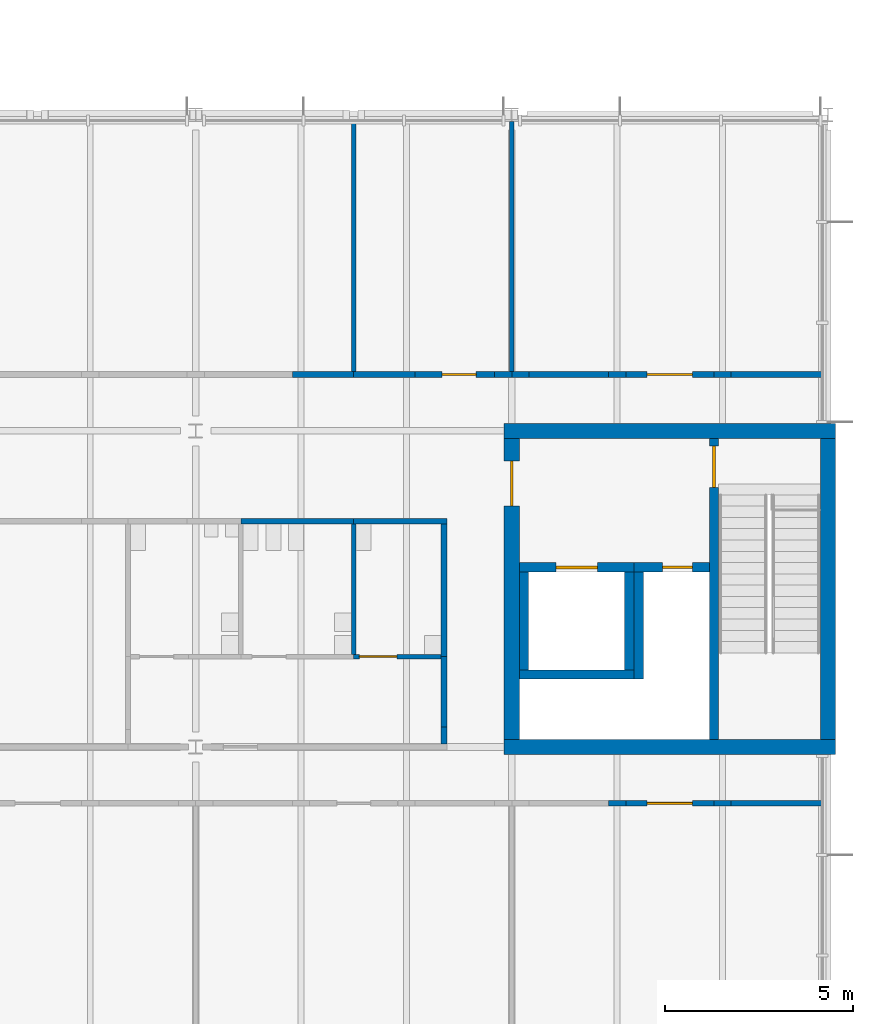
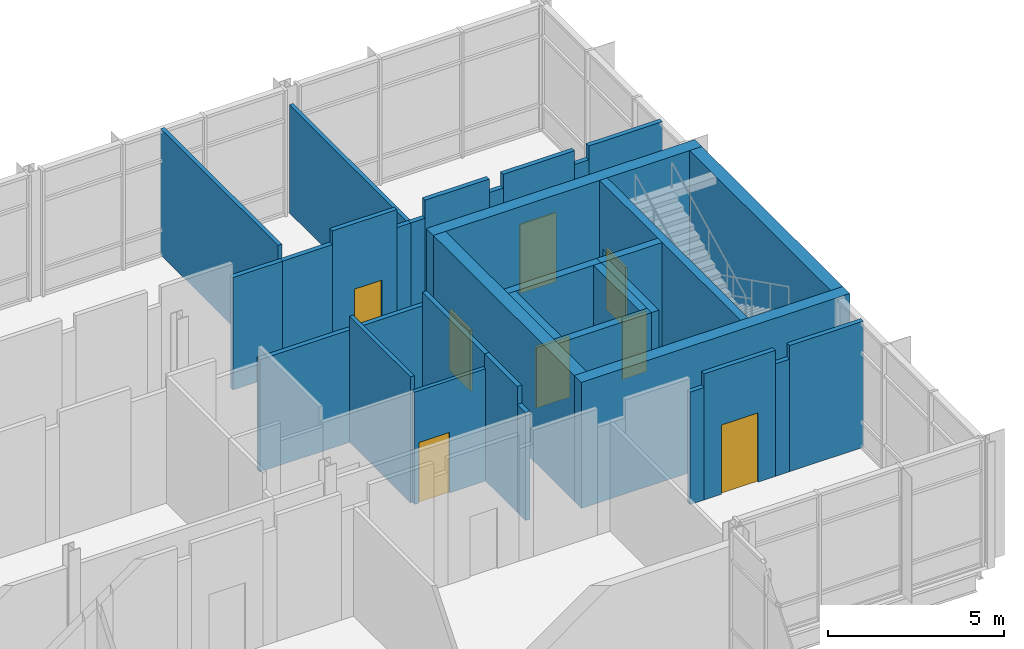
# One storey, part 59 of 89: 34 walls, 8 doors, 8 openings.
"""IFC4 building model written with IfcOpenShell, lengths in metres."""

from ifc_helpers import new_model, si_unit, direction, frame, frame_2d, origin, place, context, subcontext, project, spatial, rectangle, extrude, material, layer, layer_set, type_object, element, fill, save


model = new_model("IFC4")

# Units and contexts
model_context = context("Model", 3, precision=1e-05, world=origin(), true_north=direction((0.0, 1.0)))
body_context = subcontext(model_context, "Body", "Model", "MODEL_VIEW")
ifc_project = project(units=[si_unit("LENGTHUNIT", "METRE"), si_unit("AREAUNIT", "SQUARE_METRE"), si_unit("VOLUMEUNIT", "CUBIC_METRE"), si_unit("PLANEANGLEUNIT", "RADIAN"), si_unit("MASSUNIT", "GRAM", prefix="KILO")], contexts=[model_context])

# Site, building, storey
site_placement = place(None, origin())
site = spatial("IfcSite", under=ifc_project, at=site_placement, CompositionType="ELEMENT")
building_placement = place(site_placement, origin())
building = spatial("IfcBuilding", under=site, at=building_placement, Name="Hlaing Beacon Police Headquarters", CompositionType="ELEMENT")
storey_placement = place(building_placement, frame((0.0, 0.0, 9.89990234375)))
storey = spatial("IfcBuildingStorey", under=building, at=storey_placement, Name="L02", CompositionType="ELEMENT", Elevation=9.89990234375)

# Walls
ifc_material_1 = material(Name="Concrete C60/75", Category="concrete")
ifc_layer_1 = layer(ifc_material_1, 0.39990234375)
ifc_layer_set_1 = layer_set([ifc_layer_1], Name="Concrete C60/75")
wall_type_1 = type_object("IfcWallType", Name="Core shear wall 400", PredefinedType="SHEAR", material=ifc_layer_set_1)
for number, where, z_axis, x_axis, name in (
    (1, (125.800048828125, 75.60009765625, 0.0), (0.0, 0.0, 1.0), (1.0, 0.0, 0.0), "Core shear wall"),
    (2, (125.800048828125, 84.0, 0.0), (0.0, 0.0, 1.0), (1.0, 0.0, 0.0), "Core shear wall"),
):
    element("IfcWall", number, at=place(storey_placement, frame(where, z_axis=z_axis, x_axis=x_axis)), inside=storey, type_object=wall_type_1, Name=name, PredefinedType="SHEAR", context=body_context, shape_type="SweptSolid", body=[
        extrude(rectangle(XDim=8.800048828125, YDim=0.39990234375, at=frame_2d((4.39990234375, 0.0))), origin(), (0.0, 0.0, 1.0), 4.3701171875),
    ])

# Wall, opening, door
wall_1_placement = place(storey_placement, frame((126.0, 75.800048828125, 0.0), z_axis=(0.0, 0.0, 1.0), x_axis=(0.0, 1.0, 0.0)))
wall_1 = element("IfcWall", 3, at=wall_1_placement, inside=storey, type_object=wall_type_1, Name="Core shear wall", PredefinedType="SHEAR", context=body_context, shape_type="SweptSolid", body=[
    extrude(rectangle(XDim=8.0, YDim=0.39990234375, at=frame_2d((4.0, 0.0))), origin(), (0.0, 0.0, 1.0), 4.3701171875),
])
opening_1_placement = place(wall_1_placement, frame((6.199951171875, 0.0, 0.0)))
opening_1 = element("IfcOpeningElement", 4, at=opening_1_placement, cuts=wall_1, Name="Opening L02-949", PredefinedType="OPENING", context=body_context, shape_type="SweptSolid", body=[
    extrude(rectangle(XDim=1.199951171875, YDim=2.10009765625, at=frame_2d((0.60009765625, 1.050048828125))), frame((0.0, 0.2099609375, 0.0), z_axis=(0.0, -1.0, 0.0), x_axis=(1.0, 0.0, 0.0)), (0.0, 0.0, 1.0), 0.419921875),
])
ifc_material_2 = material(Name="Steel fire door leaf", Category="steel")
ifc_layer_2 = layer(ifc_material_2, 0.070068359375)
ifc_layer_set_2 = layer_set([ifc_layer_2], Name="Steel fire door leaf")
door_type_1 = type_object("IfcDoorType", Name="Steel fire door FD60S 1200x2100", OperationType="SINGLE_SWING_LEFT", PredefinedType="DOOR", material=ifc_layer_set_2)
door_1_placement = place(opening_1_placement, frame((1.199951171875, 0.0, 0.0), z_axis=(0.0, 0.0, 1.0), x_axis=(-1.0, 0.0, 0.0)))
door_1 = element("IfcDoor", 5, at=door_1_placement, inside=storey, type_object=door_type_1, Name="Door Firefighting Lobby Entry", OperationType="SINGLE_SWING_LEFT", OverallHeight=2.10009765625, OverallWidth=1.199951171875, PredefinedType="DOOR", context=body_context, shape_type="SweptSolid", body=[
    extrude(rectangle(XDim=1.199951171875, YDim=2.10009765625, at=frame_2d((0.599853515625, 1.050048828125))), frame((0.0, 0.034912109375, 0.0), z_axis=(0.0, -1.0, 0.0), x_axis=(1.0, 0.0, 0.0)), (0.0, 0.0, 1.0), 0.070068359375),
])
fill(opening_1, door_1)

# Walls
wall_2_placement = place(storey_placement, frame((134.39990234375, 75.800048828125, 0.0), z_axis=(0.0, 0.0, 1.0), x_axis=(0.0, 1.0, 0.0)))
element("IfcWall", 6, at=wall_2_placement, inside=storey, type_object=wall_type_1, Name="Core shear wall", PredefinedType="SHEAR", context=body_context, shape_type="SweptSolid", body=[
    extrude(rectangle(XDim=8.0, YDim=0.39990234375, at=frame_2d((4.0, 0.0))), origin(), (0.0, 0.0, 1.0), 4.3701171875),
])
ifc_material_3 = material(Name="Gypsum board partition")
ifc_layer_3 = layer(ifc_material_3, 0.14990234375)
ifc_layer_set_3 = layer_set([ifc_layer_3], Name="Gypsum board partition")
wall_type_2 = type_object("IfcWallType", Name="Corridor wall EI 30 150", PredefinedType="PARTITIONING", material=ifc_layer_set_3)
wall_3_placement = place(storey_placement, frame((121.800048828125, 81.60009765625, 0.0), z_axis=(0.0, 0.0, 1.0), x_axis=(1.0, 0.0, 0.0)))
element("IfcWall", 7, at=wall_3_placement, inside=storey, type_object=wall_type_2, Name="Corridor wall EI 30 150", PredefinedType="PARTITIONING", context=body_context, shape_type="SweptSolid", body=[
    extrude(rectangle(XDim=2.474853515625, YDim=0.14990234375, at=frame_2d((1.2373046875, 0.0))), origin(), (0.0, 0.0, 1.0), 3.89501953125),
])
wall_4_placement = place(storey_placement, frame((124.199951171875, 78.0, 0.0), z_axis=(0.0, 0.0, 1.0), x_axis=(0.0, 1.0, 0.0)))
element("IfcWall", 8, at=wall_4_placement, inside=storey, type_object=wall_type_2, Name="Corridor wall EI 30 150", PredefinedType="PARTITIONING", context=body_context, shape_type="SweptSolid", body=[
    extrude(rectangle(XDim=3.52490234375, YDim=0.14990234375, at=frame_2d((1.762451171875, 0.0))), origin(), (0.0, 0.0, 1.0), 4.3701171875),
])
wall_5_placement = place(storey_placement, frame((118.800048828125, 81.60009765625, 0.0), z_axis=(0.0, 0.0, 1.0), x_axis=(1.0, 0.0, 0.0)))
element("IfcWall", 9, at=wall_5_placement, inside=storey, type_object=wall_type_2, Name="Corridor wall EI 30 150", PredefinedType="PARTITIONING", context=body_context, shape_type="SweptSolid", body=[
    extrude(rectangle(XDim=3.0, YDim=0.14990234375, at=frame_2d((1.5, 0.0))), origin(), (0.0, 0.0, 1.0), 3.89501953125),
])
wall_6_placement = place(storey_placement, frame((124.199951171875, 75.675048828125, 0.0), z_axis=(0.0, 0.0, 1.0), x_axis=(0.0, 1.0, 0.0)))
element("IfcWall", 10, at=wall_6_placement, inside=storey, type_object=wall_type_2, Name="Corridor wall EI 30 150", PredefinedType="PARTITIONING", context=body_context, shape_type="SweptSolid", body=[
    extrude(rectangle(XDim=0.4599609375, YDim=0.14990234375, at=frame_2d((0.22998046875, 0.0))), origin(), (0.0, 0.0, 1.0), 3.74609375),
])
wall_7_placement = place(storey_placement, frame((124.199951171875, 76.135009765625, 0.0), z_axis=(0.0, 0.0, 1.0), x_axis=(0.0, 1.0, 0.0)))
element("IfcWall", 11, at=wall_7_placement, inside=storey, type_object=wall_type_2, Name="Corridor wall EI 30 150", PredefinedType="PARTITIONING", context=body_context, shape_type="SweptSolid", body=[
    extrude(rectangle(XDim=1.864990234375, YDim=0.14990234375, at=frame_2d((0.9326171875, 0.0))), origin(), (0.0, 0.0, 1.0), 4.3701171875),
])
wall_8_placement = place(storey_placement, frame((120.169921875, 85.5, 0.0), z_axis=(0.0, 0.0, 1.0), x_axis=(1.0, 0.0, 0.0)))
element("IfcWall", 12, at=wall_8_placement, inside=storey, type_object=wall_type_2, Name="Corridor wall EI 30 150", PredefinedType="PARTITIONING", context=body_context, shape_type="SweptSolid", body=[
    extrude(rectangle(XDim=1.630126953125, YDim=0.14990234375, at=frame_2d((0.81494140625, 0.0))), origin(), (0.0, 0.0, 1.0), 3.89501953125),
])
wall_9_placement = place(storey_placement, frame((121.800048828125, 85.5, 0.0), z_axis=(0.0, 0.0, 1.0), x_axis=(1.0, 0.0, 0.0)))
element("IfcWall", 13, at=wall_9_placement, inside=storey, type_object=wall_type_2, Name="Corridor wall EI 30 150", PredefinedType="PARTITIONING", context=body_context, shape_type="SweptSolid", body=[
    extrude(rectangle(XDim=1.6298828125, YDim=0.14990234375, at=frame_2d((0.81494140625, 0.0))), origin(), (0.0, 0.0, 1.0), 3.89501953125),
])

# Wall, opening, door
wall_10_placement = place(storey_placement, frame((123.429931640625, 85.5, 0.0), z_axis=(0.0, 0.0, 1.0), x_axis=(1.0, 0.0, 0.0)))
wall_10 = element("IfcWall", 14, at=wall_10_placement, inside=storey, type_object=wall_type_2, Name="Corridor wall EI 30 150", PredefinedType="PARTITIONING", context=body_context, shape_type="SweptSolid", body=[
    extrude(rectangle(XDim=2.110107421875, YDim=0.14990234375, at=frame_2d((1.05517578125, 0.0))), origin(), (0.0, 0.0, 1.0), 4.3701171875),
])
opening_2_placement = place(wall_10_placement, frame((0.719970703125, 0.0, 0.0)))
opening_2 = element("IfcOpeningElement", 15, at=opening_2_placement, cuts=wall_10, Name="Opening L02-046", PredefinedType="OPENING", context=body_context, shape_type="SweptSolid", body=[
    extrude(rectangle(XDim=0.89990234375, YDim=2.10009765625, at=frame_2d((0.449951171875, 1.050048828125))), frame((0.0, 0.0849609375, 0.0), z_axis=(0.0, -1.0, 0.0), x_axis=(1.0, 0.0, 0.0)), (0.0, 0.0, 1.0), 0.169921875),
])
ifc_material_4 = material(Name="Hardwood door leaf", Category="wood")
ifc_layer_4 = layer(ifc_material_4, 0.050048828125)
ifc_layer_set_4 = layer_set([ifc_layer_4], Name="Hardwood door leaf")
door_type_2 = type_object("IfcDoorType", Name="Fire door FD30S 900x2100", OperationType="SINGLE_SWING_LEFT", PredefinedType="DOOR", material=ifc_layer_set_4)
door_2_placement = place(opening_2_placement, origin())
door_2 = element("IfcDoor", 16, at=door_2_placement, inside=storey, type_object=door_type_2, Name="Door Training Stores", OperationType="SINGLE_SWING_LEFT", OverallHeight=2.10009765625, OverallWidth=0.89990234375, PredefinedType="DOOR", context=body_context, shape_type="SweptSolid", body=[
    extrude(rectangle(XDim=0.89990234375, YDim=2.10009765625, at=frame_2d((0.449951171875, 1.050048828125))), frame((0.0, 0.02490234375, 0.0), z_axis=(0.0, -1.0, 0.0), x_axis=(1.0, 0.0, 0.0)), (0.0, 0.0, 1.0), 0.050048828125),
])
fill(opening_2, door_2)

# Walls
for number, where, z_axis, x_axis, name in (
    (17, (125.5400390625, 85.5, 0.0), (0.0, 0.0, 1.0), (1.0, 0.0, 0.0), "Corridor wall EI 30 150"),
    (18, (126.0, 85.5, 0.0), (0.0, 0.0, 1.0), (1.0, 0.0, 0.0), "Corridor wall EI 30 150"),
):
    element("IfcWall", number, at=place(storey_placement, frame(where, z_axis=z_axis, x_axis=x_axis)), inside=storey, type_object=wall_type_2, Name=name, PredefinedType="PARTITIONING", context=body_context, shape_type="SweptSolid", body=[
        extrude(rectangle(XDim=0.4599609375, YDim=0.14990234375, at=frame_2d((0.22998046875, 0.0))), origin(), (0.0, 0.0, 1.0), 3.74609375),
    ])
wall_11_placement = place(storey_placement, frame((126.4599609375, 85.5, 0.0), z_axis=(0.0, 0.0, 1.0), x_axis=(1.0, 0.0, 0.0)))
element("IfcWall", 19, at=wall_11_placement, inside=storey, type_object=wall_type_2, Name="Corridor wall EI 30 150", PredefinedType="PARTITIONING", context=body_context, shape_type="SweptSolid", body=[
    extrude(rectangle(XDim=2.110107421875, YDim=0.14990234375, at=frame_2d((1.05517578125, 0.0))), origin(), (0.0, 0.0, 1.0), 4.3701171875),
])
wall_12_placement = place(storey_placement, frame((128.570068359375, 85.5, 0.0), z_axis=(0.0, 0.0, 1.0), x_axis=(1.0, 0.0, 0.0)))
element("IfcWall", 20, at=wall_12_placement, inside=storey, type_object=wall_type_2, Name="Corridor wall EI 30 150", PredefinedType="PARTITIONING", context=body_context, shape_type="SweptSolid", body=[
    extrude(rectangle(XDim=0.4599609375, YDim=0.14990234375, at=frame_2d((0.22998046875, 0.0))), origin(), (0.0, 0.0, 1.0), 3.89501953125),
])

# Wall, opening, door
wall_13_placement = place(storey_placement, frame((129.030029296875, 85.5, 0.0), z_axis=(0.0, 0.0, 1.0), x_axis=(1.0, 0.0, 0.0)))
wall_13 = element("IfcWall", 21, at=wall_13_placement, inside=storey, type_object=wall_type_2, Name="Corridor wall EI 30 150", PredefinedType="PARTITIONING", context=body_context, shape_type="SweptSolid", body=[
    extrude(rectangle(XDim=2.340087890625, YDim=0.14990234375, at=frame_2d((1.169921875, 0.0))), origin(), (0.0, 0.0, 1.0), 4.3701171875),
])
opening_3_placement = place(wall_13_placement, frame((0.570068359375, 0.0, 0.0)))
opening_3 = element("IfcOpeningElement", 22, at=opening_3_placement, cuts=wall_13, Name="Opening L02-047", PredefinedType="OPENING", context=body_context, shape_type="SweptSolid", body=[
    extrude(rectangle(XDim=1.199951171875, YDim=2.39990234375, at=frame_2d((0.60009765625, 1.199951171875))), frame((0.0, 0.0849609375, 0.0), z_axis=(0.0, -1.0, 0.0), x_axis=(1.0, 0.0, 0.0)), (0.0, 0.0, 1.0), 0.169921875),
])
ifc_material_5 = material(Name="Hardwood door leaf", Category="wood")
ifc_layer_5 = layer(ifc_material_5, 0.050048828125)
ifc_layer_set_5 = layer_set([ifc_layer_5], Name="Hardwood door leaf")
door_type_3 = type_object("IfcDoorType", Name="Fire public door FD30S 1200x2400", OperationType="SINGLE_SWING_LEFT", PredefinedType="DOOR", material=ifc_layer_set_5)
door_3_placement = place(opening_3_placement, origin())
door_3 = element("IfcDoor", 23, at=door_3_placement, inside=storey, type_object=door_type_3, Name="Door Library Reading Room", OperationType="SINGLE_SWING_RIGHT", OverallHeight=2.39990234375, OverallWidth=1.199951171875, PredefinedType="DOOR", context=body_context, shape_type="SweptSolid", body=[
    extrude(rectangle(XDim=1.199951171875, YDim=2.39990234375, at=frame_2d((0.60009765625, 1.199951171875))), frame((0.0, 0.02490234375, 0.0), z_axis=(0.0, -1.0, 0.0), x_axis=(1.0, 0.0, 0.0)), (0.0, 0.0, 1.0), 0.050048828125),
])
fill(opening_3, door_3)

# Walls
wall_14_placement = place(storey_placement, frame((131.3701171875, 85.5, 0.0), z_axis=(0.0, 0.0, 1.0), x_axis=(1.0, 0.0, 0.0)))
element("IfcWall", 24, at=wall_14_placement, inside=storey, type_object=wall_type_2, Name="Corridor wall EI 30 150", PredefinedType="PARTITIONING", context=body_context, shape_type="SweptSolid", body=[
    extrude(rectangle(XDim=0.4599609375, YDim=0.14990234375, at=frame_2d((0.22998046875, 0.0))), origin(), (0.0, 0.0, 1.0), 3.89501953125),
])
wall_15_placement = place(storey_placement, frame((131.830078125, 85.5, 0.0), z_axis=(0.0, 0.0, 1.0), x_axis=(1.0, 0.0, 0.0)))
element("IfcWall", 25, at=wall_15_placement, inside=storey, type_object=wall_type_2, Name="Corridor wall EI 30 150", PredefinedType="PARTITIONING", context=body_context, shape_type="SweptSolid", body=[
    extrude(rectangle(XDim=2.419921875, YDim=0.14990234375, at=frame_2d((1.2099609375, 0.0))), origin(), (0.0, 0.0, 1.0), 4.3701171875),
])
wall_16_placement = place(storey_placement, frame((128.570068359375, 74.10009765625, 0.0), z_axis=(0.0, 0.0, 1.0), x_axis=(1.0, 0.0, 0.0)))
element("IfcWall", 26, at=wall_16_placement, inside=storey, type_object=wall_type_2, Name="Corridor wall EI 30 150", PredefinedType="PARTITIONING", context=body_context, shape_type="SweptSolid", body=[
    extrude(rectangle(XDim=0.4599609375, YDim=0.14990234375, at=frame_2d((0.22998046875, 0.0))), origin(), (0.0, 0.0, 1.0), 3.89501953125),
])

# Wall, opening, door
wall_17_placement = place(storey_placement, frame((129.030029296875, 74.10009765625, 0.0), z_axis=(0.0, 0.0, 1.0), x_axis=(1.0, 0.0, 0.0)))
wall_17 = element("IfcWall", 27, at=wall_17_placement, inside=storey, type_object=wall_type_2, Name="Corridor wall EI 30 150", PredefinedType="PARTITIONING", context=body_context, shape_type="SweptSolid", body=[
    extrude(rectangle(XDim=2.340087890625, YDim=0.14990234375, at=frame_2d((1.169921875, 0.0))), origin(), (0.0, 0.0, 1.0), 4.3701171875),
])
opening_4_placement = place(wall_17_placement, frame((0.570068359375, 0.0, 0.0)))
opening_4 = element("IfcOpeningElement", 28, at=opening_4_placement, cuts=wall_17, Name="Opening L02-052", PredefinedType="OPENING", context=body_context, shape_type="SweptSolid", body=[
    extrude(rectangle(XDim=1.199951171875, YDim=2.39990234375, at=frame_2d((0.60009765625, 1.199951171875))), frame((0.0, 0.0849609375, 0.0), z_axis=(0.0, -1.0, 0.0), x_axis=(1.0, 0.0, 0.0)), (0.0, 0.0, 1.0), 0.169921875),
])
door_4_placement = place(opening_4_placement, frame((1.199951171875, 0.0, 0.0), z_axis=(0.0, 0.0, 1.0), x_axis=(-1.0, 0.0, 0.0)))
door_4 = element("IfcDoor", 29, at=door_4_placement, inside=storey, type_object=door_type_3, Name="Door Training Staff Welfare Room", OperationType="SINGLE_SWING_LEFT", OverallHeight=2.39990234375, OverallWidth=1.199951171875, PredefinedType="DOOR", context=body_context, shape_type="SweptSolid", body=[
    extrude(rectangle(XDim=1.199951171875, YDim=2.39990234375, at=frame_2d((0.599853515625, 1.199951171875))), frame((0.0, 0.025146484375, 0.0), z_axis=(0.0, -1.0, 0.0), x_axis=(1.0, 0.0, 0.0)), (0.0, 0.0, 1.0), 0.050048828125),
])
fill(opening_4, door_4)

# Walls
wall_18_placement = place(storey_placement, frame((131.3701171875, 74.10009765625, 0.0), z_axis=(0.0, 0.0, 1.0), x_axis=(1.0, 0.0, 0.0)))
element("IfcWall", 30, at=wall_18_placement, inside=storey, type_object=wall_type_2, Name="Corridor wall EI 30 150", PredefinedType="PARTITIONING", context=body_context, shape_type="SweptSolid", body=[
    extrude(rectangle(XDim=0.4599609375, YDim=0.14990234375, at=frame_2d((0.22998046875, 0.0))), origin(), (0.0, 0.0, 1.0), 3.89501953125),
])
wall_19_placement = place(storey_placement, frame((131.830078125, 74.10009765625, 0.0), z_axis=(0.0, 0.0, 1.0), x_axis=(1.0, 0.0, 0.0)))
element("IfcWall", 31, at=wall_19_placement, inside=storey, type_object=wall_type_2, Name="Corridor wall EI 30 150", PredefinedType="PARTITIONING", context=body_context, shape_type="SweptSolid", body=[
    extrude(rectangle(XDim=2.419921875, YDim=0.14990234375, at=frame_2d((1.2099609375, 0.0))), origin(), (0.0, 0.0, 1.0), 4.3701171875),
])
ifc_material_6 = material(Name="Gypsum board partition")
ifc_layer_6 = layer(ifc_material_6, 0.125)
ifc_layer_set_6 = layer_set([ifc_layer_6], Name="Gypsum board partition")
wall_type_3 = type_object("IfcWallType", Name="Partition 125", PredefinedType="PARTITIONING", material=ifc_layer_set_6)
wall_20_placement = place(storey_placement, frame((121.800048828125, 78.06201171875, 0.0), z_axis=(0.0, 0.0, 1.0), x_axis=(0.0, 1.0, 0.0)))
element("IfcWall", 32, at=wall_20_placement, inside=storey, type_object=wall_type_3, Name="Partition 125", PredefinedType="PARTITIONING", context=body_context, shape_type="SweptSolid", body=[
    extrude(rectangle(XDim=3.462890625, YDim=0.125, at=frame_2d((1.7314453125, 0.0))), origin(), (0.0, 0.0, 1.0), 4.3701171875),
])

# Wall, opening, door
wall_21_placement = place(storey_placement, frame((121.800048828125, 78.0, 0.0), z_axis=(0.0, 0.0, 1.0), x_axis=(1.0, 0.0, 0.0)))
wall_21 = element("IfcWall", 33, at=wall_21_placement, inside=storey, type_object=wall_type_3, Name="Partition 125", PredefinedType="PARTITIONING", context=body_context, shape_type="SweptSolid", body=[
    extrude(rectangle(XDim=2.324951171875, YDim=0.125, at=frame_2d((1.16259765625, 0.0))), origin(), (0.0, 0.0, 1.0), 3.89501953125),
])
opening_5_placement = place(wall_21_placement, frame((0.14990234375, 0.0, 0.0)))
opening_5 = element("IfcOpeningElement", 34, at=opening_5_placement, cuts=wall_21, Name="Opening L02-040", PredefinedType="OPENING", context=body_context, shape_type="SweptSolid", body=[
    extrude(rectangle(XDim=1.0, YDim=2.10009765625, at=frame_2d((0.5, 1.050048828125))), frame((0.0, 0.072509765625, 0.0), z_axis=(0.0, -1.0, 0.0), x_axis=(1.0, 0.0, 0.0)), (0.0, 0.0, 1.0), 0.14501953125),
])
ifc_material_7 = material(Name="Hardwood door leaf", Category="wood")
ifc_layer_7 = layer(ifc_material_7, 0.0400390625)
ifc_layer_set_7 = layer_set([ifc_layer_7], Name="Hardwood door leaf")
door_type_4 = type_object("IfcDoorType", Name="Door 1000x2100", OperationType="SINGLE_SWING_LEFT", PredefinedType="DOOR", material=ifc_layer_set_7)
door_5_placement = place(opening_5_placement, origin())
door_5 = element("IfcDoor", 35, at=door_5_placement, inside=storey, type_object=door_type_4, Name="Door Accessible WC", OperationType="SINGLE_SWING_RIGHT", OverallHeight=2.10009765625, OverallWidth=1.0, PredefinedType="DOOR", context=body_context, shape_type="SweptSolid", body=[
    extrude(rectangle(XDim=1.0, YDim=2.10009765625, at=frame_2d((0.5, 1.050048828125))), frame((0.0, 0.02001953125, 0.0), z_axis=(0.0, -1.0, 0.0), x_axis=(1.0, 0.0, 0.0)), (0.0, 0.0, 1.0), 0.0400390625),
])
fill(opening_5, door_5)

# Walls
wall_22_placement = place(storey_placement, frame((121.800048828125, 85.574951171875, 0.0), z_axis=(0.0, 0.0, 1.0), x_axis=(0.0, 1.0, 0.0)))
element("IfcWall", 36, at=wall_22_placement, inside=storey, type_object=wall_type_3, Name="Partition 125", PredefinedType="PARTITIONING", context=body_context, shape_type="SweptSolid", body=[
    extrude(rectangle(XDim=6.675048828125, YDim=0.125, at=frame_2d((3.33740234375, 0.0))), origin(), (0.0, 0.0, 1.0), 4.3701171875),
])
wall_23_placement = place(storey_placement, frame((126.0, 85.574951171875, 0.0), z_axis=(0.0, 0.0, 1.0), x_axis=(0.0, 1.0, 0.0)))
element("IfcWall", 37, at=wall_23_placement, inside=storey, type_object=wall_type_3, Name="Partition 125", PredefinedType="PARTITIONING", context=body_context, shape_type="SweptSolid", body=[
    extrude(rectangle(XDim=6.64404296875, YDim=0.125, at=frame_2d((3.322021484375, 0.0))), origin(), (0.0, 0.0, 1.0), 3.74609375),
])

# Wall, opening, door
ifc_material_8 = material(Name="Concrete C40/50", Category="concrete")
ifc_layer_8 = layer(ifc_material_8, 0.25)
ifc_layer_set_8 = layer_set([ifc_layer_8], Name="Concrete C40/50")
wall_type_4 = type_object("IfcWallType", Name="Shaft wall 250", PredefinedType="SOLIDWALL", material=ifc_layer_set_8)
wall_24_placement = place(storey_placement, frame((131.375, 83.800048828125, 0.0), z_axis=(0.0, 0.0, 1.0), x_axis=(0.0, -1.0, 0.0)))
wall_24 = element("IfcWall", 38, at=wall_24_placement, inside=storey, type_object=wall_type_4, Name="Stair enclosure wall", PredefinedType="SOLIDWALL", context=body_context, shape_type="SweptSolid", body=[
    extrude(rectangle(XDim=8.0, YDim=0.25, at=frame_2d((4.0, 0.0))), origin(), (0.0, 0.0, 1.0), 4.3701171875),
])
opening_6_placement = place(wall_24_placement, frame((0.199951171875, 0.0, 0.0)))
opening_6 = element("IfcOpeningElement", 39, at=opening_6_placement, cuts=wall_24, Name="Opening L02-951", PredefinedType="OPENING", context=body_context, shape_type="SweptSolid", body=[
    extrude(rectangle(XDim=1.10009765625, YDim=2.10009765625, at=frame_2d((0.550048828125, 1.050048828125))), frame((0.0, 0.135009765625, 0.0), z_axis=(0.0, -1.0, 0.0), x_axis=(1.0, 0.0, 0.0)), (0.0, 0.0, 1.0), 0.27001953125),
])
ifc_material_9 = material(Name="Steel fire door leaf", Category="steel")
ifc_layer_9 = layer(ifc_material_9, 0.070068359375)
ifc_layer_set_9 = layer_set([ifc_layer_9], Name="Steel fire door leaf")
door_type_5 = type_object("IfcDoorType", Name="Steel fire door FD60 1100x2100", OperationType="SINGLE_SWING_LEFT", PredefinedType="DOOR", material=ifc_layer_set_9)
door_6_placement = place(opening_6_placement, origin())
door_6 = element("IfcDoor", 40, at=door_6_placement, inside=storey, type_object=door_type_5, Name="Door Stair ST-R", OperationType="SINGLE_SWING_RIGHT", OverallHeight=2.10009765625, OverallWidth=1.10009765625, PredefinedType="DOOR", context=body_context, shape_type="SweptSolid", body=[
    extrude(rectangle(XDim=1.10009765625, YDim=2.10009765625, at=frame_2d((0.550048828125, 1.050048828125))), frame((0.0, 0.03515625, 0.0), z_axis=(0.0, -1.0, 0.0), x_axis=(1.0, 0.0, 0.0)), (0.0, 0.0, 1.0), 0.070068359375),
])
fill(opening_6, door_6)

wall_25_placement = place(storey_placement, frame((131.25, 80.375, 0.0), z_axis=(0.0, 0.0, 1.0), x_axis=(-1.0, 0.0, 0.0)))
wall_25 = element("IfcWall", 41, at=wall_25_placement, inside=storey, type_object=wall_type_4, Name="Firefighting lobby wall", PredefinedType="SOLIDWALL", context=body_context, shape_type="SweptSolid", body=[
    extrude(rectangle(XDim=2.0, YDim=0.25, at=frame_2d((1.0, 0.0))), origin(), (0.0, 0.0, 1.0), 4.3701171875),
])
opening_7_placement = place(wall_25_placement, frame((0.449951171875, 0.0, 0.0)))
opening_7 = element("IfcOpeningElement", 42, at=opening_7_placement, cuts=wall_25, Name="Opening L02-950", PredefinedType="OPENING", context=body_context, shape_type="SweptSolid", body=[
    extrude(rectangle(XDim=0.800048828125, YDim=2.10009765625, at=frame_2d((0.39990234375, 1.050048828125))), frame((0.0, 0.135009765625, 0.0), z_axis=(0.0, -1.0, 0.0), x_axis=(1.0, 0.0, 0.0)), (0.0, 0.0, 1.0), 0.27001953125),
])
ifc_material_10 = material(Name="Steel fire door leaf", Category="steel")
ifc_layer_10 = layer(ifc_material_10, 0.070068359375)
ifc_layer_set_10 = layer_set([ifc_layer_10], Name="Steel fire door leaf")
door_type_6 = type_object("IfcDoorType", Name="Steel fire door FD60 800x2100", OperationType="SINGLE_SWING_LEFT", PredefinedType="DOOR", material=ifc_layer_set_10)
door_7_placement = place(opening_7_placement, origin())
door_7 = element("IfcDoor", 43, at=door_7_placement, inside=storey, type_object=door_type_6, Name="Door Services Riser", OperationType="SINGLE_SWING_RIGHT", OverallHeight=2.10009765625, OverallWidth=0.800048828125, PredefinedType="DOOR", context=body_context, shape_type="SweptSolid", body=[
    extrude(rectangle(XDim=0.800048828125, YDim=2.10009765625, at=frame_2d((0.39990234375, 1.050048828125))), frame((0.0, 0.03515625, 0.0), z_axis=(0.0, -1.0, 0.0), x_axis=(1.0, 0.0, 0.0)), (0.0, 0.0, 1.0), 0.070068359375),
])
fill(opening_7, door_7)

# Walls
wall_26_placement = place(storey_placement, frame((129.375, 80.25, 0.0), z_axis=(0.0, 0.0, 1.0), x_axis=(0.0, -1.0, 0.0)))
element("IfcWall", 44, at=wall_26_placement, inside=storey, type_object=wall_type_4, Name="Riser wall", PredefinedType="SOLIDWALL", context=body_context, shape_type="SweptSolid", body=[
    extrude(rectangle(XDim=2.85009765625, YDim=0.25, at=frame_2d((1.425048828125, 0.0))), origin(), (0.0, 0.0, 1.0), 4.3701171875),
])
wall_27_placement = place(storey_placement, frame((129.125, 77.64990234375, 0.0), z_axis=(0.0, 0.0, 1.0), x_axis=(0.0, 1.0, 0.0)))
element("IfcWall", 45, at=wall_27_placement, inside=storey, type_object=wall_type_4, Name="Lift shaft wall FL3", PredefinedType="SOLIDWALL", context=body_context, shape_type="SweptSolid", body=[
    extrude(rectangle(XDim=2.60009765625, YDim=0.25, at=frame_2d((1.300048828125, 0.0))), origin(), (0.0, 0.0, 1.0), 4.3701171875),
])

# Wall, opening, door
wall_28_placement = place(storey_placement, frame((126.199951171875, 80.375, 0.0), z_axis=(0.0, 0.0, 1.0), x_axis=(1.0, 0.0, 0.0)))
wall_28 = element("IfcWall", 46, at=wall_28_placement, inside=storey, type_object=wall_type_4, Name="Lift shaft wall FL3", PredefinedType="SOLIDWALL", context=body_context, shape_type="SweptSolid", body=[
    extrude(rectangle(XDim=3.050048828125, YDim=0.25, at=frame_2d((1.52490234375, 0.0))), origin(), (0.0, 0.0, 1.0), 4.3701171875),
])
opening_8_placement = place(wall_28_placement, frame((0.97509765625, 0.0, 0.0)))
opening_8 = element("IfcOpeningElement", 47, at=opening_8_placement, cuts=wall_28, Name="Opening LD-FL3-L02", PredefinedType="OPENING", context=body_context, shape_type="SweptSolid", body=[
    extrude(rectangle(XDim=1.10009765625, YDim=2.10009765625, at=frame_2d((0.550048828125, 1.050048828125))), frame((0.0, 0.135009765625, 0.0), z_axis=(0.0, -1.0, 0.0), x_axis=(1.0, 0.0, 0.0)), (0.0, 0.0, 1.0), 0.27001953125),
])
ifc_material_11 = material(Name="Stainless steel lift landing door", Category="steel")
ifc_layer_11 = layer(ifc_material_11, 0.06005859375)
ifc_layer_set_11 = layer_set([ifc_layer_11], Name="Stainless steel lift landing door")
door_type_7 = type_object("IfcDoorType", Name="Lift landing door 1100x2100", OperationType="DOUBLE_DOOR_SLIDING", PredefinedType="DOOR", material=ifc_layer_set_11)
door_8_placement = place(opening_8_placement, origin())
door_8 = element("IfcDoor", 48, at=door_8_placement, inside=storey, type_object=door_type_7, Name="Landing door FL3 L02", OperationType="DOUBLE_DOOR_SLIDING", OverallHeight=2.10009765625, OverallWidth=1.10009765625, PredefinedType="DOOR", context=body_context, shape_type="SweptSolid", body=[
    extrude(rectangle(XDim=1.10009765625, YDim=2.10009765625, at=frame_2d((0.550048828125, 1.050048828125))), frame((0.0, 0.0400390625, 0.0), z_axis=(0.0, -1.0, 0.0), x_axis=(1.0, 0.0, 0.0)), (0.0, 0.0, 1.0), 0.080078125),
])
fill(opening_8, door_8)

# Walls
wall_29_placement = place(storey_placement, frame((126.199951171875, 77.52490234375, 0.0), z_axis=(0.0, 0.0, 1.0), x_axis=(1.0, 0.0, 0.0)))
element("IfcWall", 49, at=wall_29_placement, inside=storey, type_object=wall_type_4, Name="Lift shaft wall FL3", PredefinedType="SOLIDWALL", context=body_context, shape_type="SweptSolid", body=[
    extrude(rectangle(XDim=3.050048828125, YDim=0.25, at=frame_2d((1.52490234375, 0.0))), origin(), (0.0, 0.0, 1.0), 4.3701171875),
])
wall_30_placement = place(storey_placement, frame((126.324951171875, 77.64990234375, 0.0), z_axis=(0.0, 0.0, 1.0), x_axis=(0.0, 1.0, 0.0)))
element("IfcWall", 50, at=wall_30_placement, inside=storey, type_object=wall_type_4, Name="Lift shaft wall FL3", PredefinedType="SOLIDWALL", context=body_context, shape_type="SweptSolid", body=[
    extrude(rectangle(XDim=2.60009765625, YDim=0.25, at=frame_2d((1.300048828125, 0.0))), origin(), (0.0, 0.0, 1.0), 4.3701171875),
])

save(model, "model.ifc")
